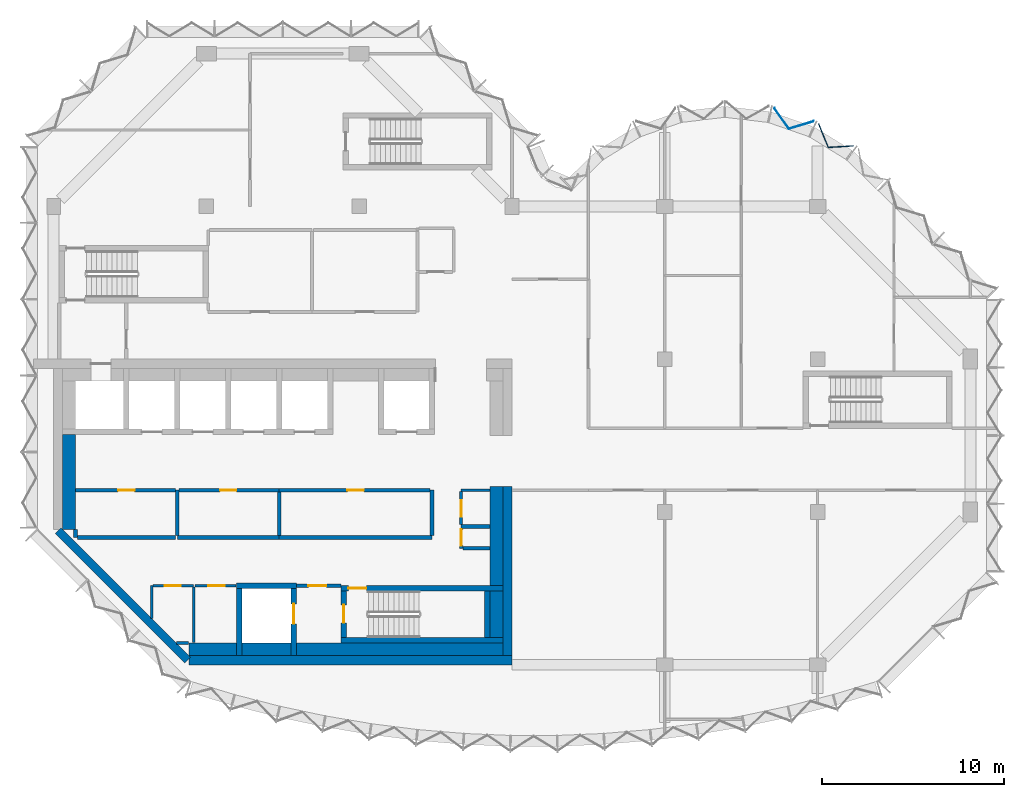
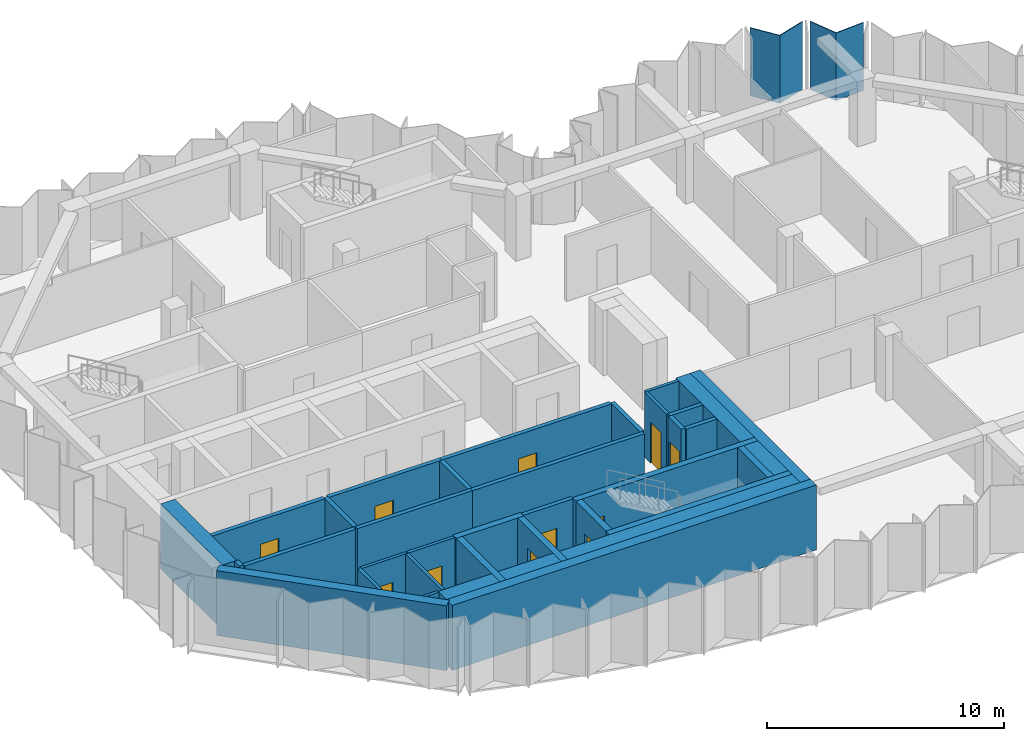
# One storey, part 4 of 10: 37 walls, 11 doors, 2 plates, 11 openings, 1 element without a shape of its own.
"""IFC4 building model written with IfcOpenShell, lengths in metres."""

from ifc_helpers import new_model, si_unit, direction, frame, frame_2d, origin, place, context, subcontext, project, spatial, polyline, rectangle, outline, extrude, material, layer, layer_set, type_object, element, fill, aggregate, save


model = new_model("IFC4")

# Units and contexts
model_context = context("Model", 3, precision=1e-05, world=origin(), true_north=direction((0.0, 1.0)))
body_context = subcontext(model_context, "Body", "Model", "MODEL_VIEW")
ifc_project = project(units=[si_unit("LENGTHUNIT", "METRE"), si_unit("AREAUNIT", "SQUARE_METRE"), si_unit("VOLUMEUNIT", "CUBIC_METRE"), si_unit("PLANEANGLEUNIT", "RADIAN"), si_unit("MASSUNIT", "GRAM", prefix="KILO")], contexts=[model_context])

# Site, building, storey
site_placement = place(None, origin())
site = spatial("IfcSite", under=ifc_project, at=site_placement, CompositionType="ELEMENT")
building_placement = place(site_placement, origin())
building = spatial("IfcBuilding", under=site, at=building_placement, Name="Brevane Broadcast Tower", CompositionType="ELEMENT")
storey_placement = place(building_placement, frame((0.0, 0.0, 237.300048828125)))
storey = spatial("IfcBuildingStorey", under=building, at=storey_placement, Name="L60", CompositionType="ELEMENT", Elevation=237.300048828125)

# Curtain wall, plates
ifc_material_1 = material(Name="Aluminium 6063-T6 bronze anodised", Category="aluminium")
curtain_wall_type = type_object("IfcCurtainWallType", Name="CW-1 curtain wall", PredefinedType="NOTDEFINED", material=ifc_material_1)
curtain_wall_placement = place(storey_placement, origin())
curtain_wall = element("IfcCurtainWall", 1, at=curtain_wall_placement, inside=storey, type_object=curtain_wall_type, Name="CW-1 typical tilted unit L60 east bow", PredefinedType="NOTDEFINED")
ifc_material_2 = material(Name="Laminated glass bronze-tinted", Category="glass")
ifc_layer_1 = layer(ifc_material_2, 0.0400390625)
ifc_layer_set_1 = layer_set([ifc_layer_1], Name="CW tall glass panel 40")
plate_type = type_object("IfcPlateType", Name="CW tall glass panel 40", PredefinedType="CURTAIN_PANEL", material=ifc_layer_set_1)
plate_1_placement = place(storey_placement, frame((0.0, 0.0, -0.150146484375)))
plate_1 = element("IfcPlate", 2, at=plate_1_placement, type_object=plate_type, Name="CW-1 glass panel", PredefinedType="CURTAIN_PANEL", context=body_context, shape_type="SweptSolid", body=[
    extrude(outline(polyline([(43.950439453125, 28.5087890625), (43.9833984375, 28.551025390625), (42.601318359375, 28.462890625), (42.0703125, 29.76171875), (42.046875, 29.712890625), (42.5751953125, 28.42138671875), (43.950439453125, 28.5087890625)])), origin(), (0.0, 0.0, 1.0), 3.5),
])
plate_2_placement = place(storey_placement, frame((0.0, 0.0, -0.150146484375)))
plate_2 = element("IfcPlate", 3, at=plate_2_placement, type_object=plate_type, Name="CW-1 glass panel", PredefinedType="CURTAIN_PANEL", context=body_context, shape_type="SweptSolid", body=[
    extrude(outline(polyline([(41.75537109375, 29.851806640625), (41.778564453125, 29.900634765625), (40.435546875, 29.494384765625), (39.6328125, 30.622802734375), (39.62060546875, 30.57080078125), (40.41943359375, 29.44775390625), (41.75537109375, 29.851806640625)])), origin(), (0.0, 0.0, 1.0), 3.5),
])
aggregate(curtain_wall, [plate_1, plate_2])

# Walls
ifc_material_3 = material(Name="Concrete C32/40", Category="concrete")
ifc_layer_2 = layer(ifc_material_3, 0.699951171875)
ifc_layer_set_2 = layer_set([ifc_layer_2], Name="Core chase wall 700 mm")
wall_type_1 = type_object("IfcWallType", Name="Core chase wall 700 mm", PredefinedType="PARTITIONING", material=ifc_layer_set_2)
wall_1_placement = place(storey_placement, frame((0.85009765625, 7.436279296875, 0.0), z_axis=(0.0, 0.0, 1.0), x_axis=(0.0, 1.0, 0.0)))
element("IfcWall", 4, at=wall_1_placement, inside=storey, type_object=wall_type_1, Name="L60 chase wall LW-1", PredefinedType="PARTITIONING", context=body_context, shape_type="SweptSolid", body=[
    extrude(rectangle(XDim=5.213623046875, YDim=0.699951171875, at=frame_2d((2.60693359375, 0.0))), origin(), (0.0, 0.0, 1.0), 3.349853515625),
])
wall_2_placement = place(storey_placement, frame((7.436279296875, 0.85009765625, 0.0), z_axis=(0.0, 0.0, 1.0), x_axis=(1.0, 0.0, 0.0)))
element("IfcWall", 5, at=wall_2_placement, inside=storey, type_object=wall_type_1, Name="L60 chase wall LS-1", PredefinedType="PARTITIONING", context=body_context, shape_type="SweptSolid", body=[
    extrude(rectangle(XDim=2.61376953125, YDim=0.699951171875, at=frame_2d((1.306884765625, 0.0))), origin(), (0.0, 0.0, 1.0), 3.349853515625),
])
wall_3_placement = place(storey_placement, frame((10.35009765625, 0.85009765625, 0.0), z_axis=(0.0, 0.0, 1.0), x_axis=(1.0, 0.0, 0.0)))
element("IfcWall", 6, at=wall_3_placement, inside=storey, type_object=wall_type_1, Name="L60 chase wall LS-2-1", PredefinedType="PARTITIONING", context=body_context, shape_type="SweptSolid", body=[
    extrude(rectangle(XDim=2.699951171875, YDim=0.699951171875, at=frame_2d((1.35009765625, 0.0))), origin(), (0.0, 0.0, 1.0), 3.349853515625),
])
wall_4_placement = place(storey_placement, frame((13.35009765625, 0.85009765625, 0.0), z_axis=(0.0, 0.0, 1.0), x_axis=(1.0, 0.0, 0.0)))
element("IfcWall", 7, at=wall_4_placement, inside=storey, type_object=wall_type_1, Name="L60 chase wall LS-2-2", PredefinedType="PARTITIONING", context=body_context, shape_type="SweptSolid", body=[
    extrude(rectangle(XDim=11.349853515625, YDim=0.699951171875, at=frame_2d((5.6748046875, 0.0))), origin(), (0.0, 0.0, 1.0), 3.349853515625),
])
wall_5_placement = place(storey_placement, frame((24.35009765625, 1.5, 0.0), z_axis=(0.0, 0.0, 1.0), x_axis=(0.0, 1.0, 0.0)))
element("IfcWall", 8, at=wall_5_placement, inside=storey, type_object=wall_type_1, Name="L60 chase wall LE1-2-1", PredefinedType="PARTITIONING", context=body_context, shape_type="SweptSolid", body=[
    extrude(rectangle(XDim=2.550048828125, YDim=0.699951171875, at=frame_2d((1.27490234375, 0.0))), origin(), (0.0, 0.0, 1.0), 3.349853515625),
])
wall_6_placement = place(storey_placement, frame((24.35009765625, 4.35009765625, 0.0), z_axis=(0.0, 0.0, 1.0), x_axis=(0.0, 1.0, 0.0)))
element("IfcWall", 9, at=wall_6_placement, inside=storey, type_object=wall_type_1, Name="L60 chase wall LE1-2-2", PredefinedType="PARTITIONING", context=body_context, shape_type="SweptSolid", body=[
    extrude(rectangle(XDim=5.449951171875, YDim=0.699951171875, at=frame_2d((2.72509765625, 0.0))), origin(), (0.0, 0.0, 1.0), 3.349853515625),
])
ifc_material_4 = material(Name="Gypsum board on steel studs", Category="steel")
ifc_layer_3 = layer(ifc_material_4, 0.14990234375)
ifc_layer_set_3 = layer_set([ifc_layer_3], Name="Core fire partition 150 mm")
wall_type_2 = type_object("IfcWallType", Name="Core fire partition 150 mm", PredefinedType="PARTITIONING", material=ifc_layer_set_3)
wall_7_placement = place(storey_placement, frame((5.39990234375, 2.553466796875, 0.0), z_axis=(0.0, 0.0, 1.0), x_axis=(0.0, 1.0, 0.0)))
element("IfcWall", 10, at=wall_7_placement, inside=storey, type_object=wall_type_2, Name="L60 partition wall P17", PredefinedType="PARTITIONING", context=body_context, shape_type="SweptSolid", body=[
    extrude(rectangle(XDim=1.796630859375, YDim=0.14990234375, at=frame_2d((0.8984375, 0.0))), origin(), (0.0, 0.0, 1.0), 3.349853515625),
])

# Wall, opening, door
wall_8_placement = place(storey_placement, frame((5.47509765625, 4.35009765625, 0.0), z_axis=(0.0, 0.0, 1.0), x_axis=(1.0, 0.0, 0.0)))
wall_8 = element("IfcWall", 11, at=wall_8_placement, inside=storey, type_object=wall_type_2, Name="L60 partition wall P18", PredefinedType="PARTITIONING", context=body_context, shape_type="SweptSolid", body=[
    extrude(rectangle(XDim=2.224853515625, YDim=0.14990234375, at=frame_2d((1.1123046875, 0.0))), origin(), (0.0, 0.0, 1.0), 3.349853515625),
])
opening_1_placement = place(wall_8_placement, frame((0.625, 0.0, 0.0)))
opening_1 = element("IfcOpeningElement", 12, at=opening_1_placement, cuts=wall_8, Name="Opening L60-K14", PredefinedType="OPENING", context=body_context, shape_type="SweptSolid", body=[
    extrude(rectangle(XDim=0.89990234375, YDim=2.10009765625, at=frame_2d((0.449951171875, 1.050048828125))), frame((0.0, 0.0849609375, 0.0), z_axis=(0.0, -1.0, 0.0), x_axis=(1.0, 0.0, 0.0)), (0.0, 0.0, 1.0), 0.169921875),
])
ifc_material_5 = material(Name="Timber", Category="wood")
door_type_1 = type_object("IfcDoorType", Name="Toilet door 900 x 2100", OperationType="SINGLE_SWING_LEFT", PredefinedType="DOOR", material=ifc_material_5)
door_1_placement = place(opening_1_placement, origin())
door_1 = element("IfcDoor", 13, at=door_1_placement, inside=storey, type_object=door_type_1, Name="Door L60-K14", OperationType="SINGLE_SWING_LEFT", OverallHeight=2.10009765625, OverallWidth=0.89990234375, PredefinedType="DOOR", context=body_context, shape_type="SweptSolid", body=[
    extrude(rectangle(XDim=0.89990234375, YDim=2.10009765625, at=frame_2d((0.449951171875, 1.050048828125))), frame((0.0, 0.02490234375, 0.0), z_axis=(0.0, -1.0, 0.0), x_axis=(1.0, 0.0, 0.0)), (0.0, 0.0, 1.0), 0.050048828125),
])
fill(opening_1, door_1)

# Walls
wall_9_placement = place(storey_placement, frame((7.699951171875, 4.27490234375, 0.0), z_axis=(0.0, 0.0, 1.0), x_axis=(0.0, -1.0, 0.0)))
element("IfcWall", 14, at=wall_9_placement, inside=storey, type_object=wall_type_2, Name="L60 partition wall P19", PredefinedType="PARTITIONING", context=body_context, shape_type="SweptSolid", body=[
    extrude(rectangle(XDim=3.06298828125, YDim=0.14990234375, at=frame_2d((1.531494140625, 0.0))), origin(), (0.0, 0.0, 1.0), 3.349853515625),
])
wall_10_placement = place(storey_placement, frame((7.42431640625, 1.199951171875, 0.0), z_axis=(0.0, 0.0, 1.0), x_axis=(-1.0, 0.0, 0.0)))
element("IfcWall", 15, at=wall_10_placement, inside=storey, type_object=wall_type_2, Name="L60 partition wall P20", PredefinedType="PARTITIONING", context=body_context, shape_type="SweptSolid", body=[
    extrude(rectangle(XDim=0.6708984375, YDim=0.14990234375, at=frame_2d((0.33544921875, 0.0))), origin(), (0.0, 0.0, 1.0), 3.349853515625),
])

# Wall, opening, door
wall_11_placement = place(storey_placement, frame((10.0380859375, 4.35009765625, 0.0), z_axis=(0.0, 0.0, 1.0), x_axis=(-1.0, 0.0, 0.0)))
wall_11 = element("IfcWall", 16, at=wall_11_placement, inside=storey, type_object=wall_type_2, Name="L60 partition wall P21", PredefinedType="PARTITIONING", context=body_context, shape_type="SweptSolid", body=[
    extrude(rectangle(XDim=2.26318359375, YDim=0.14990234375, at=frame_2d((1.131591796875, 0.0))), origin(), (0.0, 0.0, 1.0), 3.349853515625),
])
opening_2_placement = place(wall_11_placement, frame((0.637939453125, 0.0, 0.0)))
opening_2 = element("IfcOpeningElement", 17, at=opening_2_placement, cuts=wall_11, Name="Opening L60-K15", PredefinedType="OPENING", context=body_context, shape_type="SweptSolid", body=[
    extrude(rectangle(XDim=0.89990234375, YDim=2.10009765625, at=frame_2d((0.449951171875, 1.050048828125))), frame((0.0, 0.0849609375, 0.0), z_axis=(0.0, -1.0, 0.0), x_axis=(1.0, 0.0, 0.0)), (0.0, 0.0, 1.0), 0.169921875),
])
door_2_placement = place(opening_2_placement, origin())
door_2 = element("IfcDoor", 18, at=door_2_placement, inside=storey, type_object=door_type_1, Name="Door L60-K15", OperationType="SINGLE_SWING_RIGHT", OverallHeight=2.10009765625, OverallWidth=0.89990234375, PredefinedType="DOOR", context=body_context, shape_type="SweptSolid", body=[
    extrude(rectangle(XDim=0.89990234375, YDim=2.10009765625, at=frame_2d((0.449951171875, 1.050048828125))), frame((0.0, 0.02490234375, 0.0), z_axis=(0.0, -1.0, 0.0), x_axis=(1.0, 0.0, 0.0)), (0.0, 0.0, 1.0), 0.050048828125),
])
fill(opening_2, door_2)

# Wall
wall_12_placement = place(storey_placement, frame((23.988037109375, 9.60009765625, 0.0), z_axis=(0.0, 0.0, 1.0), x_axis=(-1.0, 0.0, 0.0)))
element("IfcWall", 19, at=wall_12_placement, inside=storey, type_object=wall_type_2, Name="L60 partition wall P35", PredefinedType="PARTITIONING", context=body_context, shape_type="SweptSolid", body=[
    extrude(rectangle(XDim=1.588134765625, YDim=0.14990234375, at=frame_2d((0.7939453125, 0.0))), origin(), (0.0, 0.0, 1.0), 3.349853515625),
])

# Wall, opening, door
wall_13_placement = place(storey_placement, frame((22.39990234375, 9.52490234375, 0.0), z_axis=(0.0, 0.0, 1.0), x_axis=(0.0, -1.0, 0.0)))
wall_13 = element("IfcWall", 20, at=wall_13_placement, inside=storey, type_object=wall_type_2, Name="L60 partition wall P36", PredefinedType="PARTITIONING", context=body_context, shape_type="SweptSolid", body=[
    extrude(rectangle(XDim=1.824951171875, YDim=0.14990234375, at=frame_2d((0.91259765625, 0.0))), origin(), (0.0, 0.0, 1.0), 3.349853515625),
])
opening_3_placement = place(wall_13_placement, frame((0.47509765625, 0.0, 0.0)))
opening_3 = element("IfcOpeningElement", 21, at=opening_3_placement, cuts=wall_13, Name="Opening L60-K18", PredefinedType="OPENING", context=body_context, shape_type="SweptSolid", body=[
    extrude(rectangle(XDim=0.89990234375, YDim=2.10009765625, at=frame_2d((0.449951171875, 1.050048828125))), frame((0.0, 0.0849609375, 0.0), z_axis=(0.0, -1.0, 0.0), x_axis=(1.0, 0.0, 0.0)), (0.0, 0.0, 1.0), 0.169921875),
])
ifc_material_6 = material(Name="Steel", Category="steel")
door_type_2 = type_object("IfcDoorType", Name="Service room door 900 x 2100", OperationType="SINGLE_SWING_LEFT", PredefinedType="DOOR", material=ifc_material_6)
door_3_placement = place(opening_3_placement, origin())
door_3 = element("IfcDoor", 22, at=door_3_placement, inside=storey, type_object=door_type_2, Name="Door L60-K18", OperationType="SINGLE_SWING_LEFT", OverallHeight=2.10009765625, OverallWidth=0.89990234375, PredefinedType="DOOR", context=body_context, shape_type="SweptSolid", body=[
    extrude(rectangle(XDim=0.89990234375, YDim=2.10009765625, at=frame_2d((0.449951171875, 1.050048828125))), frame((0.0, 0.02490234375, 0.0), z_axis=(0.0, -1.0, 0.0), x_axis=(1.0, 0.0, 0.0)), (0.0, 0.0, 1.0), 0.050048828125),
])
fill(opening_3, door_3)

ifc_layer_4 = layer(ifc_material_4, 0.199951171875)
ifc_layer_set_4 = layer_set([ifc_layer_4], Name="Core fire partition 200 mm")
wall_type_3 = type_object("IfcWallType", Name="Core fire partition 200 mm", PredefinedType="PARTITIONING", material=ifc_layer_set_4)
wall_14_placement = place(storey_placement, frame((13.362060546875, 4.35009765625, 0.0), z_axis=(0.0, 0.0, 1.0), x_axis=(1.0, 0.0, 0.0)))
wall_14 = element("IfcWall", 23, at=wall_14_placement, inside=storey, type_object=wall_type_3, Name="L60 partition wall P03", PredefinedType="PARTITIONING", context=body_context, shape_type="SweptSolid", body=[
    extrude(rectangle(XDim=2.426025390625, YDim=0.199951171875, at=frame_2d((1.212890625, 0.0))), origin(), (0.0, 0.0, 1.0), 3.349853515625),
])
opening_4_placement = place(wall_14_placement, frame((0.637939453125, 0.0, 0.0)))
opening_4 = element("IfcOpeningElement", 24, at=opening_4_placement, cuts=wall_14, Name="Opening L60-K16", PredefinedType="OPENING", context=body_context, shape_type="SweptSolid", body=[
    extrude(rectangle(XDim=1.0, YDim=2.10009765625, at=frame_2d((0.5, 1.050048828125))), frame((0.0, 0.10986328125, 0.0), z_axis=(0.0, -1.0, 0.0), x_axis=(1.0, 0.0, 0.0)), (0.0, 0.0, 1.0), 0.219970703125),
])
door_type_3 = type_object("IfcDoorType", Name="Stair door 1000 x 2100", OperationType="SINGLE_SWING_LEFT", PredefinedType="DOOR", material=ifc_material_6)
door_4_placement = place(opening_4_placement, origin())
door_4 = element("IfcDoor", 25, at=door_4_placement, inside=storey, type_object=door_type_3, Name="Door L60-K16", OperationType="SINGLE_SWING_LEFT", OverallHeight=2.10009765625, OverallWidth=1.0, PredefinedType="DOOR", context=body_context, shape_type="SweptSolid", body=[
    extrude(rectangle(XDim=1.0, YDim=2.10009765625, at=frame_2d((0.5, 1.050048828125))), frame((0.0, 0.02490234375, 0.0), z_axis=(0.0, -1.0, 0.0), x_axis=(1.0, 0.0, 0.0)), (0.0, 0.0, 1.0), 0.050048828125),
])
fill(opening_4, door_4)

# Walls
wall_15_placement = place(storey_placement, frame((6.800048828125, 7.0, 0.0), z_axis=(0.0, 0.0, 1.0), x_axis=(1.0, 0.0, 0.0)))
element("IfcWall", 26, at=wall_15_placement, inside=storey, type_object=wall_type_3, Name="L60 partition wall P04", PredefinedType="PARTITIONING", context=body_context, shape_type="SweptSolid", body=[
    extrude(rectangle(XDim=5.599853515625, YDim=0.199951171875, at=frame_2d((2.7998046875, 0.0))), origin(), (0.0, 0.0, 1.0), 3.349853515625),
])
wall_16_placement = place(storey_placement, frame((6.800048828125, 9.60009765625, 0.0), z_axis=(0.0, 0.0, 1.0), x_axis=(0.0, -1.0, 0.0)))
element("IfcWall", 27, at=wall_16_placement, inside=storey, type_object=wall_type_3, Name="L60 partition wall P05", PredefinedType="PARTITIONING", context=body_context, shape_type="SweptSolid", body=[
    extrude(rectangle(XDim=2.5, YDim=0.199951171875, at=frame_2d((1.25, 0.0))), origin(), (0.0, 0.0, 1.0), 3.349853515625),
])

# Wall, opening, door
wall_17_placement = place(storey_placement, frame((6.699951171875, 9.60009765625, 0.0), z_axis=(0.0, 0.0, 1.0), x_axis=(-1.0, 0.0, 0.0)))
wall_17 = element("IfcWall", 28, at=wall_17_placement, inside=storey, type_object=wall_type_3, Name="L60 partition wall P06", PredefinedType="PARTITIONING", context=body_context, shape_type="SweptSolid", body=[
    extrude(rectangle(XDim=5.488037109375, YDim=0.199951171875, at=frame_2d((2.744140625, 0.0))), origin(), (0.0, 0.0, 1.0), 3.349853515625),
])
opening_5_placement = place(wall_17_placement, frame((2.25, 0.0, 0.0)))
opening_5 = element("IfcOpeningElement", 29, at=opening_5_placement, cuts=wall_17, Name="Opening L60-K19", PredefinedType="OPENING", context=body_context, shape_type="SweptSolid", body=[
    extrude(rectangle(XDim=0.89990234375, YDim=2.10009765625, at=frame_2d((0.449951171875, 1.050048828125))), frame((0.0, 0.10986328125, 0.0), z_axis=(0.0, -1.0, 0.0), x_axis=(1.0, 0.0, 0.0)), (0.0, 0.0, 1.0), 0.219970703125),
])
door_5_placement = place(opening_5_placement, origin())
door_5 = element("IfcDoor", 30, at=door_5_placement, inside=storey, type_object=door_type_2, Name="Door L60-K19", OperationType="SINGLE_SWING_RIGHT", OverallHeight=2.10009765625, OverallWidth=0.89990234375, PredefinedType="DOOR", context=body_context, shape_type="SweptSolid", body=[
    extrude(rectangle(XDim=0.89990234375, YDim=2.10009765625, at=frame_2d((0.449951171875, 1.050048828125))), frame((0.0, 0.02490234375, 0.0), z_axis=(0.0, -1.0, 0.0), x_axis=(1.0, 0.0, 0.0)), (0.0, 0.0, 1.0), 0.050048828125),
])
fill(opening_5, door_5)

# Walls
wall_18_placement = place(storey_placement, frame((1.199951171875, 7.42431640625, 0.0), z_axis=(0.0, 0.0, 1.0), x_axis=(0.0, -1.0, 0.0)))
element("IfcWall", 31, at=wall_18_placement, inside=storey, type_object=wall_type_3, Name="L60 partition wall P07", PredefinedType="PARTITIONING", context=body_context, shape_type="SweptSolid", body=[
    extrude(rectangle(XDim=0.42431640625, YDim=0.199951171875, at=frame_2d((0.212158203125, 0.0))), origin(), (0.0, 0.0, 1.0), 3.349853515625),
])
wall_19_placement = place(storey_placement, frame((1.300048828125, 7.0, 0.0), z_axis=(0.0, 0.0, 1.0), x_axis=(1.0, 0.0, 0.0)))
element("IfcWall", 32, at=wall_19_placement, inside=storey, type_object=wall_type_3, Name="L60 partition wall P08", PredefinedType="PARTITIONING", context=body_context, shape_type="SweptSolid", body=[
    extrude(rectangle(XDim=5.39990234375, YDim=0.199951171875, at=frame_2d((2.699951171875, 0.0))), origin(), (0.0, 0.0, 1.0), 3.349853515625),
])

# Wall, opening, door
wall_20_placement = place(storey_placement, frame((12.39990234375, 9.60009765625, 0.0), z_axis=(0.0, 0.0, 1.0), x_axis=(-1.0, 0.0, 0.0)))
wall_20 = element("IfcWall", 33, at=wall_20_placement, inside=storey, type_object=wall_type_3, Name="L60 partition wall P09", PredefinedType="PARTITIONING", context=body_context, shape_type="SweptSolid", body=[
    extrude(rectangle(XDim=5.5, YDim=0.199951171875, at=frame_2d((2.75, 0.0))), origin(), (0.0, 0.0, 1.0), 3.349853515625),
])
opening_6_placement = place(wall_20_placement, frame((2.35009765625, 0.0, 0.0)))
opening_6 = element("IfcOpeningElement", 34, at=opening_6_placement, cuts=wall_20, Name="Opening L60-K20", PredefinedType="OPENING", context=body_context, shape_type="SweptSolid", body=[
    extrude(rectangle(XDim=0.89990234375, YDim=2.10009765625, at=frame_2d((0.449951171875, 1.050048828125))), frame((0.0, 0.10986328125, 0.0), z_axis=(0.0, -1.0, 0.0), x_axis=(1.0, 0.0, 0.0)), (0.0, 0.0, 1.0), 0.219970703125),
])
door_6_placement = place(opening_6_placement, origin())
door_6 = element("IfcDoor", 35, at=door_6_placement, inside=storey, type_object=door_type_2, Name="Door L60-K20", OperationType="SINGLE_SWING_LEFT", OverallHeight=2.10009765625, OverallWidth=0.89990234375, PredefinedType="DOOR", context=body_context, shape_type="SweptSolid", body=[
    extrude(rectangle(XDim=0.89990234375, YDim=2.10009765625, at=frame_2d((0.449951171875, 1.050048828125))), frame((0.0, 0.02490234375, 0.0), z_axis=(0.0, -1.0, 0.0), x_axis=(1.0, 0.0, 0.0)), (0.0, 0.0, 1.0), 0.050048828125),
])
fill(opening_6, door_6)

# Walls
wall_21_placement = place(storey_placement, frame((12.39990234375, 7.0, 0.0), z_axis=(0.0, 0.0, 1.0), x_axis=(1.0, 0.0, 0.0)))
element("IfcWall", 36, at=wall_21_placement, inside=storey, type_object=wall_type_3, Name="L60 partition wall P10", PredefinedType="PARTITIONING", context=body_context, shape_type="SweptSolid", body=[
    extrude(rectangle(XDim=8.400146484375, YDim=0.199951171875, at=frame_2d((4.2001953125, 0.0))), origin(), (0.0, 0.0, 1.0), 3.349853515625),
])
wall_22_placement = place(storey_placement, frame((20.800048828125, 7.10009765625, 0.0), z_axis=(0.0, 0.0, 1.0), x_axis=(0.0, 1.0, 0.0)))
element("IfcWall", 37, at=wall_22_placement, inside=storey, type_object=wall_type_3, Name="L60 partition wall P11", PredefinedType="PARTITIONING", context=body_context, shape_type="SweptSolid", body=[
    extrude(rectangle(XDim=2.5, YDim=0.199951171875, at=frame_2d((1.25, 0.0))), origin(), (0.0, 0.0, 1.0), 3.349853515625),
])

# Wall, opening, door
wall_23_placement = place(storey_placement, frame((20.699951171875, 9.60009765625, 0.0), z_axis=(0.0, 0.0, 1.0), x_axis=(-1.0, 0.0, 0.0)))
wall_23 = element("IfcWall", 38, at=wall_23_placement, inside=storey, type_object=wall_type_3, Name="L60 partition wall P12", PredefinedType="PARTITIONING", context=body_context, shape_type="SweptSolid", body=[
    extrude(rectangle(XDim=8.300048828125, YDim=0.199951171875, at=frame_2d((4.14990234375, 0.0))), origin(), (0.0, 0.0, 1.0), 3.349853515625),
])
opening_7_placement = place(wall_23_placement, frame((3.64990234375, 0.0, 0.0)))
opening_7 = element("IfcOpeningElement", 39, at=opening_7_placement, cuts=wall_23, Name="Opening L60-K21", PredefinedType="OPENING", context=body_context, shape_type="SweptSolid", body=[
    extrude(rectangle(XDim=0.89990234375, YDim=2.10009765625, at=frame_2d((0.449951171875, 1.050048828125))), frame((0.0, 0.10986328125, 0.0), z_axis=(0.0, -1.0, 0.0), x_axis=(1.0, 0.0, 0.0)), (0.0, 0.0, 1.0), 0.219970703125),
])
door_7_placement = place(opening_7_placement, origin())
door_7 = element("IfcDoor", 40, at=door_7_placement, inside=storey, type_object=door_type_2, Name="Door L60-K21", OperationType="SINGLE_SWING_RIGHT", OverallHeight=2.10009765625, OverallWidth=0.89990234375, PredefinedType="DOOR", context=body_context, shape_type="SweptSolid", body=[
    extrude(rectangle(XDim=0.89990234375, YDim=2.10009765625, at=frame_2d((0.449951171875, 1.050048828125))), frame((0.0, 0.02490234375, 0.0), z_axis=(0.0, -1.0, 0.0), x_axis=(1.0, 0.0, 0.0)), (0.0, 0.0, 1.0), 0.050048828125),
])
fill(opening_7, door_7)

# Walls
wall_24_placement = place(storey_placement, frame((12.39990234375, 9.5, 0.0), z_axis=(0.0, 0.0, 1.0), x_axis=(0.0, -1.0, 0.0)))
element("IfcWall", 41, at=wall_24_placement, inside=storey, type_object=wall_type_3, Name="L60 partition wall P13", PredefinedType="PARTITIONING", context=body_context, shape_type="SweptSolid", body=[
    extrude(rectangle(XDim=2.39990234375, YDim=0.199951171875, at=frame_2d((1.199951171875, 0.0))), origin(), (0.0, 0.0, 1.0), 3.349853515625),
])
wall_25_placement = place(storey_placement, frame((23.988037109375, 7.60009765625, 0.0), z_axis=(0.0, 0.0, 1.0), x_axis=(-1.0, 0.0, 0.0)))
element("IfcWall", 42, at=wall_25_placement, inside=storey, type_object=wall_type_3, Name="L60 partition wall P14", PredefinedType="PARTITIONING", context=body_context, shape_type="SweptSolid", body=[
    extrude(rectangle(XDim=1.588134765625, YDim=0.199951171875, at=frame_2d((0.7939453125, 0.0))), origin(), (0.0, 0.0, 1.0), 3.349853515625),
])

# Wall, opening, door
wall_26_placement = place(storey_placement, frame((22.39990234375, 7.5, 0.0), z_axis=(0.0, 0.0, 1.0), x_axis=(0.0, -1.0, 0.0)))
wall_26 = element("IfcWall", 43, at=wall_26_placement, inside=storey, type_object=wall_type_3, Name="L60 partition wall P15", PredefinedType="PARTITIONING", context=body_context, shape_type="SweptSolid", body=[
    extrude(rectangle(XDim=1.10009765625, YDim=0.199951171875, at=frame_2d((0.550048828125, 0.0))), origin(), (0.0, 0.0, 1.0), 3.349853515625),
])
opening_8_placement = place(wall_26_placement, frame((0.050048828125, 0.0, 0.0)))
opening_8 = element("IfcOpeningElement", 44, at=opening_8_placement, cuts=wall_26, Name="Opening L60-K17", PredefinedType="OPENING", context=body_context, shape_type="SweptSolid", body=[
    extrude(rectangle(XDim=0.89990234375, YDim=2.10009765625, at=frame_2d((0.449951171875, 1.050048828125))), frame((0.0, 0.10986328125, 0.0), z_axis=(0.0, -1.0, 0.0), x_axis=(1.0, 0.0, 0.0)), (0.0, 0.0, 1.0), 0.219970703125),
])
door_8_placement = place(opening_8_placement, origin())
door_8 = element("IfcDoor", 45, at=door_8_placement, inside=storey, type_object=door_type_2, Name="Door L60-K17", OperationType="SINGLE_SWING_RIGHT", OverallHeight=2.10009765625, OverallWidth=0.89990234375, PredefinedType="DOOR", context=body_context, shape_type="SweptSolid", body=[
    extrude(rectangle(XDim=0.89990234375, YDim=2.10009765625, at=frame_2d((0.449951171875, 1.050048828125))), frame((0.0, 0.02490234375, 0.0), z_axis=(0.0, -1.0, 0.0), x_axis=(1.0, 0.0, 0.0)), (0.0, 0.0, 1.0), 0.050048828125),
])
fill(opening_8, door_8)

# Walls
wall_27_placement = place(storey_placement, frame((22.5, 6.39990234375, 0.0), z_axis=(0.0, 0.0, 1.0), x_axis=(1.0, 0.0, 0.0)))
element("IfcWall", 46, at=wall_27_placement, inside=storey, type_object=wall_type_3, Name="L60 partition wall P16", PredefinedType="PARTITIONING", context=body_context, shape_type="SweptSolid", body=[
    extrude(rectangle(XDim=1.488037109375, YDim=0.199951171875, at=frame_2d((0.744140625, 0.0))), origin(), (0.0, 0.0, 1.0), 3.349853515625),
])
ifc_material_7 = material(Name="Concrete C50/60", Category="concrete")
ifc_layer_5 = layer(ifc_material_7, 0.300048828125)
ifc_layer_set_5 = layer_set([ifc_layer_5], Name="Core wall 300 mm C50/60")
wall_type_4 = type_object("IfcWallType", Name="Core wall 300 mm C50/60", PredefinedType="SHEAR", material=ifc_layer_set_5)
wall_28_placement = place(storey_placement, frame((10.199951171875, 0.5, 0.0), z_axis=(0.0, 0.0, 1.0), x_axis=(0.0, 1.0, 0.0)))
element("IfcWall", 47, at=wall_28_placement, inside=storey, type_object=wall_type_4, Name="L60 shaft wall FF2-W", PredefinedType="SHEAR", context=body_context, shape_type="SweptSolid", body=[
    extrude(rectangle(XDim=3.699951171875, YDim=0.300048828125, at=frame_2d((1.85009765625, 0.0))), origin(), (0.0, 0.0, 1.0), 3.349853515625),
])

# Wall, opening, door
wall_29_placement = place(storey_placement, frame((13.199951171875, 0.5, 0.0), z_axis=(0.0, 0.0, 1.0), x_axis=(0.0, 1.0, 0.0)))
wall_29 = element("IfcWall", 48, at=wall_29_placement, inside=storey, type_object=wall_type_4, Name="L60 shaft wall FF2-E", PredefinedType="SHEAR", context=body_context, shape_type="SweptSolid", body=[
    extrude(rectangle(XDim=3.699951171875, YDim=0.300048828125, at=frame_2d((1.85009765625, 0.0))), origin(), (0.0, 0.0, 1.0), 3.349853515625),
])
opening_9_placement = place(wall_29_placement, frame((1.75, 0.0, 0.0)))
opening_9 = element("IfcOpeningElement", 49, at=opening_9_placement, cuts=wall_29, Name="Opening LD", PredefinedType="OPENING", context=body_context, shape_type="SweptSolid", body=[
    extrude(rectangle(XDim=1.10009765625, YDim=2.300048828125, at=frame_2d((0.550048828125, 1.14990234375))), frame((0.0, 0.159912109375, 0.0), z_axis=(0.0, -1.0, 0.0), x_axis=(1.0, 0.0, 0.0)), (0.0, 0.0, 1.0), 0.320068359375),
])
ifc_material_8 = material(Name="Stainless steel", Category="steel")
door_type_4 = type_object("IfcDoorType", Name="Lift landing door", OperationType="SLIDING_TO_LEFT", PredefinedType="DOOR", material=ifc_material_8)
door_9_placement = place(opening_9_placement, origin())
door_9 = element("IfcDoor", 50, at=door_9_placement, inside=storey, type_object=door_type_4, Name="Landing door FF2 L60", OperationType="SLIDING_TO_LEFT", OverallHeight=2.300048828125, OverallWidth=1.10009765625, PredefinedType="DOOR", context=body_context, shape_type="SweptSolid", body=[
    extrude(rectangle(XDim=1.10009765625, YDim=2.300048828125, at=frame_2d((0.550048828125, 1.14990234375))), frame((0.0, 0.02490234375, 0.0), z_axis=(0.0, -1.0, 0.0), x_axis=(1.0, 0.0, 0.0)), (0.0, 0.0, 1.0), 0.050048828125),
])
fill(opening_9, door_9)

# Walls
wall_30_placement = place(storey_placement, frame((10.050048828125, 4.35009765625, 0.0), z_axis=(0.0, 0.0, 1.0), x_axis=(1.0, 0.0, 0.0)))
element("IfcWall", 51, at=wall_30_placement, inside=storey, type_object=wall_type_4, Name="L60 shaft wall FF2-N", PredefinedType="SHEAR", context=body_context, shape_type="SweptSolid", body=[
    extrude(rectangle(XDim=3.300048828125, YDim=0.300048828125, at=frame_2d((1.64990234375, 0.0))), origin(), (0.0, 0.0, 1.0), 3.349853515625),
])
wall_31_placement = place(storey_placement, frame((15.800048828125, 1.35009765625, 0.0), z_axis=(0.0, 0.0, 1.0), x_axis=(1.0, 0.0, 0.0)))
element("IfcWall", 52, at=wall_31_placement, inside=storey, type_object=wall_type_4, Name="L60 stair wall ST-2-S", PredefinedType="SHEAR", context=body_context, shape_type="SweptSolid", body=[
    extrude(rectangle(XDim=8.89990234375, YDim=0.300048828125, at=frame_2d((4.449951171875, 0.0))), origin(), (0.0, 0.0, 1.0), 3.349853515625),
])

# Wall, opening, door
wall_32_placement = place(storey_placement, frame((15.800048828125, 4.199951171875, 0.0), z_axis=(0.0, 0.0, 1.0), x_axis=(1.0, 0.0, 0.0)))
wall_32 = element("IfcWall", 53, at=wall_32_placement, inside=storey, type_object=wall_type_4, Name="L60 stair wall ST-2-N", PredefinedType="SHEAR", context=body_context, shape_type="SweptSolid", body=[
    extrude(rectangle(XDim=8.89990234375, YDim=0.300048828125, at=frame_2d((4.449951171875, 0.0))), origin(), (0.0, 0.0, 1.0), 3.349853515625),
])
opening_10_placement = place(wall_32_placement, frame((0.39990234375, 0.0, 0.0)))
opening_10 = element("IfcOpeningElement", 54, at=opening_10_placement, cuts=wall_32, Name="Opening L60-K11", PredefinedType="OPENING", context=body_context, shape_type="SweptSolid", body=[
    extrude(rectangle(XDim=1.0, YDim=2.10009765625, at=frame_2d((0.5, 1.050048828125))), frame((0.0, 0.159912109375, 0.0), z_axis=(0.0, -1.0, 0.0), x_axis=(1.0, 0.0, 0.0)), (0.0, 0.0, 1.0), 0.320068359375),
])
door_10_placement = place(opening_10_placement, origin())
door_10 = element("IfcDoor", 55, at=door_10_placement, inside=storey, type_object=door_type_3, Name="Door L60-K11", OperationType="SINGLE_SWING_RIGHT", OverallHeight=2.10009765625, OverallWidth=1.0, PredefinedType="DOOR", context=body_context, shape_type="SweptSolid", body=[
    extrude(rectangle(XDim=1.0, YDim=2.10009765625, at=frame_2d((0.5, 1.050048828125))), frame((0.0, 0.02490234375, 0.0), z_axis=(0.0, -1.0, 0.0), x_axis=(1.0, 0.0, 0.0)), (0.0, 0.0, 1.0), 0.050048828125),
])
fill(opening_10, door_10)

wall_33_placement = place(storey_placement, frame((15.949951171875, 1.5, 0.0), z_axis=(0.0, 0.0, 1.0), x_axis=(0.0, 1.0, 0.0)))
wall_33 = element("IfcWall", 56, at=wall_33_placement, inside=storey, type_object=wall_type_4, Name="L60 stair wall ST-2-W", PredefinedType="SHEAR", context=body_context, shape_type="SweptSolid", body=[
    extrude(rectangle(XDim=2.550048828125, YDim=0.300048828125, at=frame_2d((1.27490234375, 0.0))), origin(), (0.0, 0.0, 1.0), 3.349853515625),
])
opening_11_placement = place(wall_33_placement, frame((0.800048828125, 0.0, 0.0)))
opening_11 = element("IfcOpeningElement", 57, at=opening_11_placement, cuts=wall_33, Name="Opening L60-K10", PredefinedType="OPENING", context=body_context, shape_type="SweptSolid", body=[
    extrude(rectangle(XDim=1.0, YDim=2.10009765625, at=frame_2d((0.5, 1.050048828125))), frame((0.0, 0.159912109375, 0.0), z_axis=(0.0, -1.0, 0.0), x_axis=(1.0, 0.0, 0.0)), (0.0, 0.0, 1.0), 0.320068359375),
])
door_11_placement = place(opening_11_placement, origin())
door_11 = element("IfcDoor", 58, at=door_11_placement, inside=storey, type_object=door_type_3, Name="Door L60-K10", OperationType="SINGLE_SWING_LEFT", OverallHeight=2.10009765625, OverallWidth=1.0, PredefinedType="DOOR", context=body_context, shape_type="SweptSolid", body=[
    extrude(rectangle(XDim=1.0, YDim=2.10009765625, at=frame_2d((0.5, 1.050048828125))), frame((0.0, 0.02490234375, 0.0), z_axis=(0.0, -1.0, 0.0), x_axis=(1.0, 0.0, 0.0)), (0.0, 0.0, 1.0), 0.050048828125),
])
fill(opening_11, door_11)

# Walls
wall_34_placement = place(storey_placement, frame((23.85009765625, 1.5, 0.0), z_axis=(0.0, 0.0, 1.0), x_axis=(0.0, 1.0, 0.0)))
element("IfcWall", 59, at=wall_34_placement, inside=storey, type_object=wall_type_4, Name="L60 stair wall ST-2-E", PredefinedType="SHEAR", context=body_context, shape_type="SweptSolid", body=[
    extrude(rectangle(XDim=2.550048828125, YDim=0.300048828125, at=frame_2d((1.27490234375, 0.0))), origin(), (0.0, 0.0, 1.0), 3.349853515625),
])
ifc_layer_6 = layer(ifc_material_7, 0.449951171875)
ifc_layer_set_6 = layer_set([ifc_layer_6], Name="Core wall 450 mm C50/60")
wall_type_5 = type_object("IfcWallType", Name="Core wall 450 mm C50/60", PredefinedType="SHEAR", material=ifc_layer_set_6)
wall_35_placement = place(storey_placement, frame((0.25, 7.3681640625, 0.0), z_axis=(0.0, 0.0, 1.0), x_axis=(0.707106781187, -0.707106781187, 0.0)))
element("IfcWall", 60, at=wall_35_placement, inside=storey, type_object=wall_type_5, Name="L60 outer wall WC", PredefinedType="SHEAR", context=body_context, shape_type="SweptSolid", body=[
    extrude(rectangle(XDim=10.066650390625, YDim=0.449951171875, at=frame_2d((5.033203125, 0.0))), origin(), (0.0, 0.0, 1.0), 3.349853515625),
])
ifc_layer_7 = layer(ifc_material_7, 0.5)
ifc_layer_set_7 = layer_set([ifc_layer_7], Name="Core wall 500 mm C50/60")
wall_type_6 = type_object("IfcWallType", Name="Core wall 500 mm C50/60", PredefinedType="SHEAR", material=ifc_layer_set_7)
wall_36_placement = place(storey_placement, frame((7.436279296875, 0.25, 0.0), z_axis=(0.0, 0.0, 1.0), x_axis=(1.0, 0.0, 0.0)))
element("IfcWall", 61, at=wall_36_placement, inside=storey, type_object=wall_type_6, Name="L60 outer wall WS", PredefinedType="SHEAR", context=body_context, shape_type="SweptSolid", body=[
    extrude(rectangle(XDim=17.763671875, YDim=0.5, at=frame_2d((8.8818359375, 0.0))), origin(), (0.0, 0.0, 1.0), 3.349853515625),
])
wall_37_placement = place(storey_placement, frame((24.949951171875, 0.5, 0.0), z_axis=(0.0, 0.0, 1.0), x_axis=(0.0, 1.0, 0.0)))
element("IfcWall", 62, at=wall_37_placement, inside=storey, type_object=wall_type_6, Name="L60 outer wall WE1", PredefinedType="SHEAR", context=body_context, shape_type="SweptSolid", body=[
    extrude(rectangle(XDim=9.300048828125, YDim=0.5, at=frame_2d((4.64990234375, 0.0))), origin(), (0.0, 0.0, 1.0), 3.349853515625),
])

save(model, "model.ifc")
